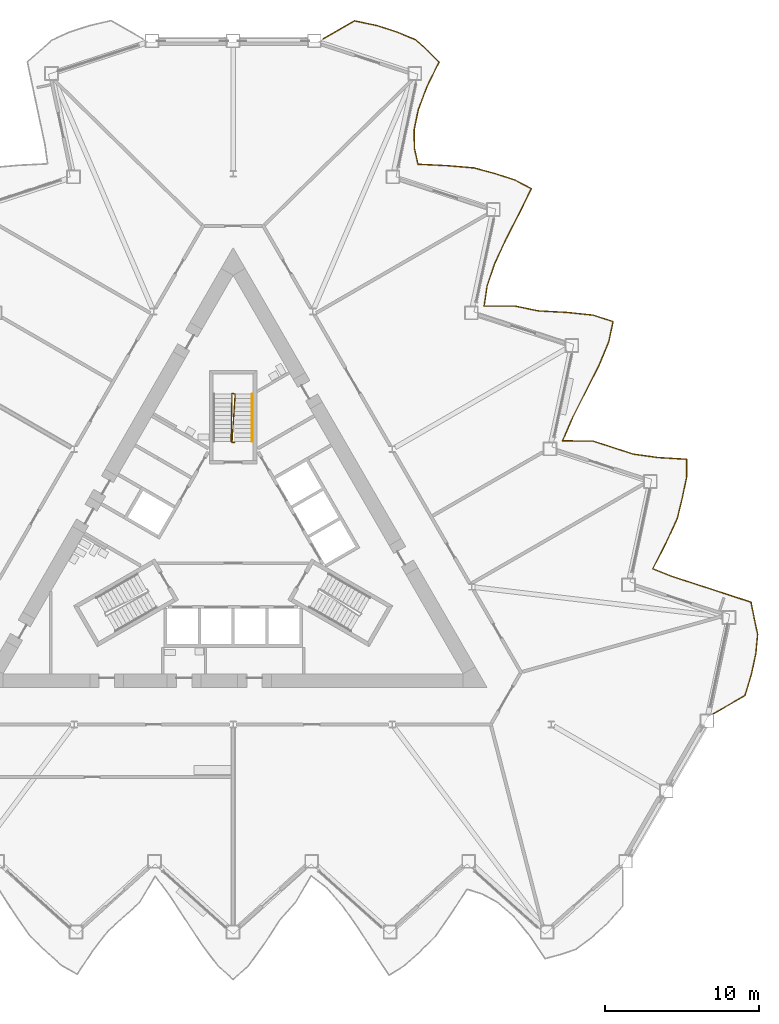
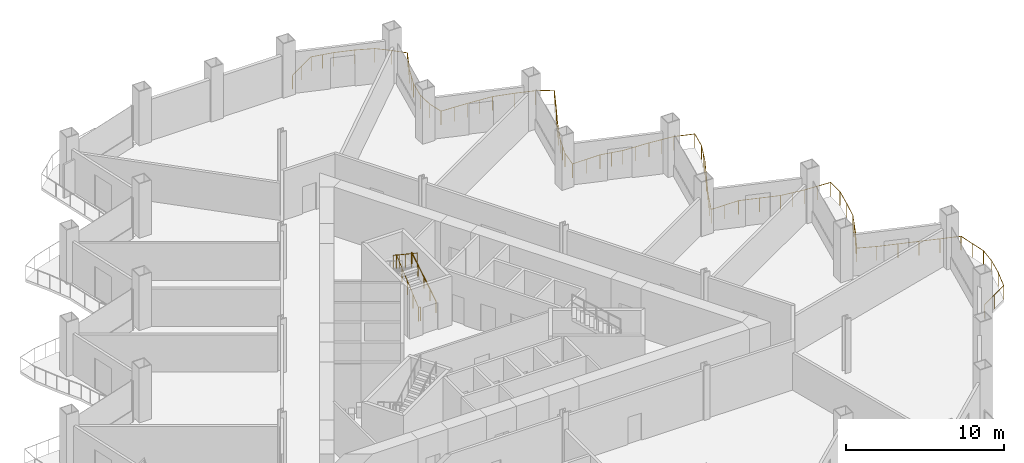
# One storey, part 19 of 21: 3 railings.
"""IFC4 building model written with IfcOpenShell, lengths in metres."""

from ifc_helpers import new_model, si_unit, direction, frame, origin, origin_2d, place, context, subcontext, project, spatial, circle, extrude, material, type_object, element, save


model = new_model("IFC4")

# Units and contexts
model_context = context("Model", 3, precision=1e-05, world=origin(), true_north=direction((0.0, 1.0)))
body_context = subcontext(model_context, "Body", "Model", "MODEL_VIEW")
ifc_project = project(units=[si_unit("LENGTHUNIT", "METRE"), si_unit("AREAUNIT", "SQUARE_METRE"), si_unit("VOLUMEUNIT", "CUBIC_METRE"), si_unit("PLANEANGLEUNIT", "RADIAN"), si_unit("MASSUNIT", "GRAM", prefix="KILO")], contexts=[model_context])

# Site, building, storey
site_placement = place(None, origin())
site = spatial("IfcSite", under=ifc_project, at=site_placement, CompositionType="ELEMENT")
building_placement = place(site_placement, origin())
building = spatial("IfcBuilding", under=site, at=building_placement, Name="Cormorant Prow Tower", CompositionType="ELEMENT")
storey_placement = place(building_placement, frame((0.0, 0.0, 141.60009765625)))
storey = spatial("IfcBuildingStorey", under=building, at=storey_placement, Name="L30", CompositionType="ELEMENT", Elevation=141.60009765625)

# Railings
ifc_material_1 = material(Name="Aluminium 6063-T6", Category="aluminium")
railing_type_1 = type_object("IfcRailingType", Name="Balcony guard 1100", PredefinedType="GUARDRAIL", material=ifc_material_1)
railing_1_placement = place(storey_placement, frame((31.16650390625, -11.24609375, 0.0)))
element("IfcRailing", 1, at=railing_1_placement, inside=storey, type_object=railing_type_1, Name="Balcony guard ENE", PredefinedType="GUARDRAIL", context=body_context, shape_type="SweptSolid", body=[
    extrude(circle(Radius=0.02392578125, at=origin_2d()), frame((0.0, 0.0, 1.076171875), z_axis=(0.866028295127, 0.499994992015, 0.0), x_axis=(-0.499994992015, 0.866028295127, 0.0)), (0.0, 0.0, 1.0), 2.40380859375),
    extrude(circle(Radius=0.02392578125, at=origin_2d()), frame((2.081787109375, 1.201904296875, 1.076171875), z_axis=(0.28877060576, 0.957398316924, 0.0), x_axis=(-0.957398316924, 0.28877060576, 0.0)), (0.0, 0.0, 1.0), 1.4794921875),
    extrude(circle(Radius=0.02392578125, at=origin_2d()), frame((2.509033203125, 2.618408203125, 1.076171875), z_axis=(0.207987307747, 0.978131524804, 0.0), x_axis=(-0.978131524804, 0.207987307747, 0.0)), (0.0, 0.0, 1.0), 1.36279296875),
    extrude(circle(Radius=0.02392578125, at=origin_2d()), frame((2.79248046875, 3.951416015625, 1.076171875), z_axis=(0.090589014578, 0.995888362437, 0.0), x_axis=(-0.995888362437, 0.090589014578, 0.0)), (0.0, 0.0, 1.0), 1.23974609375),
    extrude(circle(Radius=0.02392578125, at=origin_2d()), frame((2.90478515625, 5.18603515625, 1.076171875), z_axis=(-0.210171489105, 0.97766453611, 0.0), x_axis=(-0.97766453611, -0.210171489105, 0.0)), (0.0, 0.0, 1.0), 1.06396484375),
    extrude(circle(Radius=0.02392578125, at=origin_2d()), frame((2.68115234375, 6.226318359375, 1.076171875), z_axis=(-0.194141506486, 0.980973534536, 0.0), x_axis=(-0.980973534536, -0.194141506486, 0.0)), (0.0, 0.0, 1.0), 1.070068359375),
    extrude(circle(Radius=0.02392578125, at=origin_2d()), frame((2.473388671875, 7.276123046875, 1.076171875), z_axis=(-0.951056446131, 0.309017210318, 0.0), x_axis=(-0.309017210318, -0.951056446131, 0.0)), (0.0, 0.0, 1.0), 1.36279296875),
    extrude(circle(Radius=0.02392578125, at=origin_2d()), frame((1.17724609375, 7.697265625, 1.076171875), z_axis=(-0.951073548171, 0.308964570734, 0.0), x_axis=(-0.308964570734, -0.951073548171, 0.0)), (0.0, 0.0, 1.0), 1.363037109375),
    extrude(circle(Radius=0.02392578125, at=origin_2d()), frame((-0.119140625, 8.118408203125, 1.076171875), z_axis=(-0.951003787166, 0.309179230862, 0.0), x_axis=(-0.309179230862, -0.951003787166, 0.0)), (0.0, 0.0, 1.0), 1.363037109375),
    extrude(circle(Radius=0.02392578125, at=origin_2d()), frame((-1.415283203125, 8.539794921875, 1.076171875), z_axis=(-0.951073548171, 0.308964570734, 0.0), x_axis=(-0.308964570734, -0.951073548171, 0.0)), (0.0, 0.0, 1.0), 1.363037109375),
    extrude(circle(Radius=0.02392578125, at=origin_2d()), frame((-2.711669921875, 8.9609375, 1.076171875), z_axis=(-0.927544426557, 0.373712906873, 0.0), x_axis=(-0.373712906873, -0.927544426557, 0.0)), (0.0, 0.0, 1.0), 1.286376953125),
    extrude(circle(Radius=0.02392578125, at=origin_2d()), frame((-3.90478515625, 9.441650390625, 1.076171875), z_axis=(0.456189190816, 0.889882813736, 0.0), x_axis=(-0.889882813736, 0.456189190816, 0.0)), (0.0, 0.0, 1.0), 1.86669921875),
    extrude(circle(Radius=0.02392578125, at=origin_2d()), frame((-3.05322265625, 11.102783203125, 1.076171875), z_axis=(0.419260854224, 0.907865813937, 0.0), x_axis=(-0.907865813937, 0.419260854224, 0.0)), (0.0, 0.0, 1.0), 1.7568359375),
    extrude(circle(Radius=0.02392578125, at=origin_2d()), frame((-2.316650390625, 12.69775390625, 1.076171875), z_axis=(0.234720200923, 0.972062974955, 0.0), x_axis=(-0.972062974955, 0.234720200923, 0.0)), (0.0, 0.0, 1.0), 1.39794921875),
    extrude(circle(Radius=0.02392578125, at=origin_2d()), frame((-1.988525390625, 14.056640625, 1.076171875), z_axis=(0.20777949128, 0.978175691276, 0.0), x_axis=(-0.978175691276, 0.20777949128, 0.0)), (0.0, 0.0, 1.0), 1.363037109375),
    extrude(circle(Radius=0.02392578125, at=origin_2d()), frame((-1.705322265625, 15.389892578125, 1.076171875), z_axis=(-0.004395101961, 0.999990341493, 0.0), x_axis=(-0.999990341493, -0.004395101961, 0.0)), (0.0, 0.0, 1.0), 1.16650390625),
    extrude(circle(Radius=0.02392578125, at=origin_2d()), frame((-1.71044921875, 16.556396484375, 1.076171875), z_axis=(-0.998205480445, 0.059881706794, 0.0), x_axis=(-0.059881706794, -0.998205480445, 0.0)), (0.0, 0.0, 1.0), 1.8388671875),
    extrude(circle(Radius=0.02392578125, at=origin_2d()), frame((-3.5458984375, 16.66650390625, 1.076171875), z_axis=(-0.990785173474, 0.135442755527, 0.0), x_axis=(-0.135442755527, -0.990785173474, 0.0)), (0.0, 0.0, 1.0), 1.65283203125),
    extrude(circle(Radius=0.02392578125, at=origin_2d()), frame((-5.18359375, 16.890380859375, 1.076171875), z_axis=(-0.951020906197, 0.30912656951, 0.0), x_axis=(-0.30912656951, -0.951020906197, 0.0)), (0.0, 0.0, 1.0), 1.363037109375),
    extrude(circle(Radius=0.02392578125, at=origin_2d()), frame((-6.47998046875, 17.311767578125, 1.076171875), z_axis=(-0.951056446131, 0.309017210318, 0.0), x_axis=(-0.309017210318, -0.951056446131, 0.0)), (0.0, 0.0, 1.0), 1.36279296875),
    extrude(circle(Radius=0.02392578125, at=origin_2d()), frame((-7.776123046875, 17.73291015625, 1.076171875), z_axis=(-0.999943000724, 0.010676858255, 0.0), x_axis=(-0.010676858255, -0.999943000724, 0.0)), (0.0, 0.0, 1.0), 1.9892578125),
    extrude(circle(Radius=0.02392578125, at=origin_2d()), frame((-9.765380859375, 17.754150390625, 1.076171875), z_axis=(0.398741839927, 0.917063217609, 0.0), x_axis=(-0.917063217609, 0.398741839927, 0.0)), (0.0, 0.0, 1.0), 1.70263671875),
    extrude(circle(Radius=0.02392578125, at=origin_2d()), frame((-9.08642578125, 19.315673828125, 1.076171875), z_axis=(0.451114859985, 0.892465900245, 0.0), x_axis=(-0.892465900245, 0.451114859985, 0.0)), (0.0, 0.0, 1.0), 1.850341796875),
    extrude(circle(Radius=0.02392578125, at=origin_2d()), frame((-8.251708984375, 20.967041015625, 1.076171875), z_axis=(0.451479426467, 0.892281529271, 0.0), x_axis=(-0.892281529271, 0.451479426467, 0.0)), (0.0, 0.0, 1.0), 1.85205078125),
    extrude(circle(Radius=0.02392578125, at=origin_2d()), frame((-7.41552734375, 22.61962890625, 1.076171875), z_axis=(0.386169867914, 0.922427684491, 0.0), x_axis=(-0.922427684491, 0.386169867914, 0.0)), (0.0, 0.0, 1.0), 1.672119140625),
    extrude(circle(Radius=0.02392578125, at=origin_2d()), frame((-6.769775390625, 24.162109375, 1.076171875), z_axis=(0.207987307747, 0.978131524804, 0.0), x_axis=(-0.978131524804, 0.207987307747, 0.0)), (0.0, 0.0, 1.0), 1.36279296875),
    extrude(circle(Radius=0.02392578125, at=origin_2d()), frame((-6.486328125, 25.4951171875, 1.076171875), z_axis=(-0.951020906197, 0.30912656951, 0.0), x_axis=(-0.30912656951, -0.951020906197, 0.0)), (0.0, 0.0, 1.0), 1.363037109375),
    extrude(circle(Radius=0.02392578125, at=origin_2d()), frame((-7.78271484375, 25.91650390625, 1.076171875), z_axis=(-0.994553457781, 0.104227729592, 0.0), x_axis=(-0.104227729592, -0.994553457781, 0.0)), (0.0, 0.0, 1.0), 1.723876953125),
    extrude(circle(Radius=0.02392578125, at=origin_2d()), frame((-9.497314453125, 26.09619140625, 1.076171875), z_axis=(-0.99862688178, 0.052386553488, 0.0), x_axis=(-0.052386553488, -0.99862688178, 0.0)), (0.0, 0.0, 1.0), 1.859375),
    extrude(circle(Radius=0.02392578125, at=origin_2d()), frame((-11.354248046875, 26.193603515625, 1.076171875), z_axis=(-0.978772631432, 0.204949105777, 0.0), x_axis=(-0.204949105777, -0.978772631432, 0.0)), (0.0, 0.0, 1.0), 1.518798828125),
    extrude(circle(Radius=0.02392578125, at=origin_2d()), frame((-12.8408203125, 26.5048828125, 1.076171875), z_axis=(-0.999997357014, 0.002299122675, 0.0), x_axis=(-0.002299122675, -0.999997357014, 0.0)), (0.0, 0.0, 1.0), 2.017578125),
    extrude(circle(Radius=0.02392578125, at=origin_2d()), frame((-14.8583984375, 26.509521484375, 1.076171875), z_axis=(0.145178339034, 0.989405503257, 0.0), x_axis=(-0.989405503257, 0.145178339034, 0.0)), (0.0, 0.0, 1.0), 1.29150390625),
    extrude(circle(Radius=0.02392578125, at=origin_2d()), frame((-14.6708984375, 27.787353515625, 1.076171875), z_axis=(0.319047114396, 0.947738855801, 0.0), x_axis=(-0.947738855801, 0.319047114396, 0.0)), (0.0, 0.0, 1.0), 1.531982421875),
    extrude(circle(Radius=0.02392578125, at=origin_2d()), frame((-14.18212890625, 29.2392578125, 1.076171875), z_axis=(0.41795388599, 0.908468243356, 0.0), x_axis=(-0.908468243356, 0.41795388599, 0.0)), (0.0, 0.0, 1.0), 1.7529296875),
    extrude(circle(Radius=0.02392578125, at=origin_2d()), frame((-13.449462890625, 30.831787109375, 1.076171875), z_axis=(0.455931479564, 0.890014879619, 0.0), x_axis=(-0.890014879619, 0.455931479564, 0.0)), (0.0, 0.0, 1.0), 1.8662109375),
    extrude(circle(Radius=0.02392578125, at=origin_2d()), frame((-12.5986328125, 32.49267578125, 1.076171875), z_axis=(0.443574700944, 0.896237404197, 0.0), x_axis=(-0.896237404197, 0.443574700944, 0.0)), (0.0, 0.0, 1.0), 1.82666015625),
    extrude(circle(Radius=0.02392578125, at=origin_2d()), frame((-11.788330078125, 34.1298828125, 1.076171875), z_axis=(-0.884466584061, 0.466603538006, 0.0), x_axis=(-0.466603538006, -0.884466584061, 0.0)), (0.0, 0.0, 1.0), 1.197265625),
    extrude(circle(Radius=0.02392578125, at=origin_2d()), frame((-12.84716796875, 34.6884765625, 1.076171875), z_axis=(-0.951073548171, 0.308964570734, 0.0), x_axis=(-0.308964570734, -0.951073548171, 0.0)), (0.0, 0.0, 1.0), 1.363037109375),
    extrude(circle(Radius=0.02392578125, at=origin_2d()), frame((-14.1435546875, 35.109619140625, 1.076171875), z_axis=(-0.965508525338, 0.260371441404, 0.0), x_axis=(-0.260371441404, -0.965508525338, 0.0)), (0.0, 0.0, 1.0), 1.429931640625),
    extrude(circle(Radius=0.02392578125, at=origin_2d()), frame((-15.524169921875, 35.48193359375, 1.076171875), z_axis=(-0.996510581394, 0.08346652724, 0.0), x_axis=(-0.08346652724, -0.996510581394, 0.0)), (0.0, 0.0, 1.0), 1.775390625),
    extrude(circle(Radius=0.02392578125, at=origin_2d()), frame((-17.29345703125, 35.630126953125, 1.076171875), z_axis=(-0.998807076272, 0.048830568173, 0.0), x_axis=(-0.048830568173, -0.998807076272, 0.0)), (0.0, 0.0, 1.0), 1.869873046875),
    extrude(circle(Radius=0.02392578125, at=origin_2d()), frame((-19.1611328125, 35.721435546875, 1.076171875), z_axis=(-0.213087370496, 0.977033148125, 0.0), x_axis=(-0.977033148125, -0.213087370496, 0.0)), (0.0, 0.0, 1.0), 1.063232421875),
    extrude(circle(Radius=0.02392578125, at=origin_2d()), frame((-19.3876953125, 36.76025390625, 1.076171875), z_axis=(-0.019628896374, 0.999807334654, 0.0), x_axis=(-0.999807334654, -0.019628896374, 0.0)), (0.0, 0.0, 1.0), 1.15673828125),
    extrude(circle(Radius=0.02392578125, at=origin_2d()), frame((-19.410400390625, 37.916748046875, 1.076171875), z_axis=(0.197784685481, 0.980245488737, 0.0), x_axis=(-0.980245488737, 0.197784685481, 0.0)), (0.0, 0.0, 1.0), 1.350341796875),
    extrude(circle(Radius=0.02392578125, at=origin_2d()), frame((-19.143310546875, 39.240478515625, 1.076171875), z_axis=(0.351760535491, 0.936090020068, 0.0), x_axis=(-0.936090020068, 0.351760535491, 0.0)), (0.0, 0.0, 1.0), 1.595703125),
    extrude(circle(Radius=0.02392578125, at=origin_2d()), frame((-18.58203125, 40.734130859375, 1.076171875), z_axis=(0.43939350747, 0.898294687501, 0.0), x_axis=(-0.898294687501, 0.43939350747, 0.0)), (0.0, 0.0, 1.0), 1.814697265625),
    extrude(circle(Radius=0.02392578125, at=origin_2d()), frame((-17.78466796875, 42.3642578125, 1.076171875), z_axis=(-0.708617812109, 0.705592514389, 0.0), x_axis=(-0.705592514389, -0.708617812109, 0.0)), (0.0, 0.0, 1.0), 1.049072265625),
    extrude(circle(Radius=0.02392578125, at=origin_2d()), frame((-18.528076171875, 43.1044921875, 1.076171875), z_axis=(-0.752859275685, 0.658181518288, 0.0), x_axis=(-0.658181518288, -0.752859275685, 0.0)), (0.0, 0.0, 1.0), 1.070068359375),
    extrude(circle(Radius=0.02392578125, at=origin_2d()), frame((-19.333740234375, 43.808837890625, 1.076171875), z_axis=(-0.921356634102, 0.388718346358, 0.0), x_axis=(-0.388718346358, -0.921356634102, 0.0)), (0.0, 0.0, 1.0), 1.2705078125),
    extrude(circle(Radius=0.02392578125, at=origin_2d()), frame((-20.50439453125, 44.302734375, 1.076171875), z_axis=(-0.951056446131, 0.309017210318, 0.0), x_axis=(-0.309017210318, -0.951056446131, 0.0)), (0.0, 0.0, 1.0), 1.36279296875),
    extrude(circle(Radius=0.02392578125, at=origin_2d()), frame((-21.800537109375, 44.723876953125, 1.076171875), z_axis=(-0.978740375285, 0.205103090633, 0.0), x_axis=(-0.205103090633, -0.978740375285, 0.0)), (0.0, 0.0, 1.0), 1.518798828125),
    extrude(circle(Radius=0.02392578125, at=origin_2d()), frame((-23.287109375, 45.035400390625, 1.076171875), z_axis=(-0.865997029545, -0.500049142405, 0.0), x_axis=(0.500049142405, -0.865997029545, 0.0)), (0.0, 0.0, 1.0), 2.350341796875),
    extrude(circle(Radius=0.02099609375, at=origin_2d()), origin(), (0.0, 0.0, 1.0), 1.052001953125),
    extrude(circle(Radius=0.02099609375, at=origin_2d()), frame((1.041015625, 0.60107421875, 0.0)), (0.0, 0.0, 1.0), 1.052001953125),
    extrude(circle(Radius=0.02099609375, at=origin_2d()), frame((2.081787109375, 1.201904296875, 0.0)), (0.0, 0.0, 1.0), 1.052001953125),
    extrude(circle(Radius=0.02099609375, at=origin_2d()), frame((2.509033203125, 2.618408203125, 0.0)), (0.0, 0.0, 1.0), 1.052001953125),
    extrude(circle(Radius=0.02099609375, at=origin_2d()), frame((2.79248046875, 3.951416015625, 0.0)), (0.0, 0.0, 1.0), 1.052001953125),
    extrude(circle(Radius=0.02099609375, at=origin_2d()), frame((2.90478515625, 5.18603515625, 0.0)), (0.0, 0.0, 1.0), 1.052001953125),
    extrude(circle(Radius=0.02099609375, at=origin_2d()), frame((2.68115234375, 6.226318359375, 0.0)), (0.0, 0.0, 1.0), 1.052001953125),
    extrude(circle(Radius=0.02099609375, at=origin_2d()), frame((2.473388671875, 7.276123046875, 0.0)), (0.0, 0.0, 1.0), 1.052001953125),
    extrude(circle(Radius=0.02099609375, at=origin_2d()), frame((1.17724609375, 7.697265625, 0.0)), (0.0, 0.0, 1.0), 1.052001953125),
    extrude(circle(Radius=0.02099609375, at=origin_2d()), frame((-0.119140625, 8.118408203125, 0.0)), (0.0, 0.0, 1.0), 1.052001953125),
    extrude(circle(Radius=0.02099609375, at=origin_2d()), frame((-1.415283203125, 8.539794921875, 0.0)), (0.0, 0.0, 1.0), 1.052001953125),
    extrude(circle(Radius=0.02099609375, at=origin_2d()), frame((-2.711669921875, 8.9609375, 0.0)), (0.0, 0.0, 1.0), 1.052001953125),
    extrude(circle(Radius=0.02099609375, at=origin_2d()), frame((-3.90478515625, 9.441650390625, 0.0)), (0.0, 0.0, 1.0), 1.052001953125),
    extrude(circle(Radius=0.02099609375, at=origin_2d()), frame((-3.47900390625, 10.272216796875, 0.0)), (0.0, 0.0, 1.0), 1.052001953125),
    extrude(circle(Radius=0.02099609375, at=origin_2d()), frame((-3.05322265625, 11.102783203125, 0.0)), (0.0, 0.0, 1.0), 1.052001953125),
    extrude(circle(Radius=0.02099609375, at=origin_2d()), frame((-2.68505859375, 11.900390625, 0.0)), (0.0, 0.0, 1.0), 1.052001953125),
    extrude(circle(Radius=0.02099609375, at=origin_2d()), frame((-2.316650390625, 12.69775390625, 0.0)), (0.0, 0.0, 1.0), 1.052001953125),
    extrude(circle(Radius=0.02099609375, at=origin_2d()), frame((-1.988525390625, 14.056640625, 0.0)), (0.0, 0.0, 1.0), 1.052001953125),
    extrude(circle(Radius=0.02099609375, at=origin_2d()), frame((-1.705322265625, 15.389892578125, 0.0)), (0.0, 0.0, 1.0), 1.052001953125),
    extrude(circle(Radius=0.02099609375, at=origin_2d()), frame((-1.71044921875, 16.556396484375, 0.0)), (0.0, 0.0, 1.0), 1.052001953125),
    extrude(circle(Radius=0.02099609375, at=origin_2d()), frame((-2.628173828125, 16.611328125, 0.0)), (0.0, 0.0, 1.0), 1.052001953125),
    extrude(circle(Radius=0.02099609375, at=origin_2d()), frame((-3.5458984375, 16.66650390625, 0.0)), (0.0, 0.0, 1.0), 1.052001953125),
    extrude(circle(Radius=0.02099609375, at=origin_2d()), frame((-4.36474609375, 16.7783203125, 0.0)), (0.0, 0.0, 1.0), 1.052001953125),
    extrude(circle(Radius=0.02099609375, at=origin_2d()), frame((-5.18359375, 16.890380859375, 0.0)), (0.0, 0.0, 1.0), 1.052001953125),
    extrude(circle(Radius=0.02099609375, at=origin_2d()), frame((-6.47998046875, 17.311767578125, 0.0)), (0.0, 0.0, 1.0), 1.052001953125),
    extrude(circle(Radius=0.02099609375, at=origin_2d()), frame((-7.776123046875, 17.73291015625, 0.0)), (0.0, 0.0, 1.0), 1.052001953125),
    extrude(circle(Radius=0.02099609375, at=origin_2d()), frame((-8.770751953125, 17.74365234375, 0.0)), (0.0, 0.0, 1.0), 1.052001953125),
    extrude(circle(Radius=0.02099609375, at=origin_2d()), frame((-9.765380859375, 17.754150390625, 0.0)), (0.0, 0.0, 1.0), 1.052001953125),
    extrude(circle(Radius=0.02099609375, at=origin_2d()), frame((-9.42578125, 18.534912109375, 0.0)), (0.0, 0.0, 1.0), 1.052001953125),
    extrude(circle(Radius=0.02099609375, at=origin_2d()), frame((-9.08642578125, 19.315673828125, 0.0)), (0.0, 0.0, 1.0), 1.052001953125),
    extrude(circle(Radius=0.02099609375, at=origin_2d()), frame((-8.6689453125, 20.141357421875, 0.0)), (0.0, 0.0, 1.0), 1.052001953125),
    extrude(circle(Radius=0.02099609375, at=origin_2d()), frame((-8.251708984375, 20.967041015625, 0.0)), (0.0, 0.0, 1.0), 1.052001953125),
    extrude(circle(Radius=0.02099609375, at=origin_2d()), frame((-7.83349609375, 21.79345703125, 0.0)), (0.0, 0.0, 1.0), 1.052001953125),
    extrude(circle(Radius=0.02099609375, at=origin_2d()), frame((-7.41552734375, 22.61962890625, 0.0)), (0.0, 0.0, 1.0), 1.052001953125),
    extrude(circle(Radius=0.02099609375, at=origin_2d()), frame((-7.0927734375, 23.390869140625, 0.0)), (0.0, 0.0, 1.0), 1.052001953125),
    extrude(circle(Radius=0.02099609375, at=origin_2d()), frame((-6.769775390625, 24.162109375, 0.0)), (0.0, 0.0, 1.0), 1.052001953125),
    extrude(circle(Radius=0.02099609375, at=origin_2d()), frame((-6.486328125, 25.4951171875, 0.0)), (0.0, 0.0, 1.0), 1.052001953125),
    extrude(circle(Radius=0.02099609375, at=origin_2d()), frame((-7.78271484375, 25.91650390625, 0.0)), (0.0, 0.0, 1.0), 1.052001953125),
    extrude(circle(Radius=0.02099609375, at=origin_2d()), frame((-8.64013671875, 26.00634765625, 0.0)), (0.0, 0.0, 1.0), 1.052001953125),
    extrude(circle(Radius=0.02099609375, at=origin_2d()), frame((-9.497314453125, 26.09619140625, 0.0)), (0.0, 0.0, 1.0), 1.052001953125),
    extrude(circle(Radius=0.02099609375, at=origin_2d()), frame((-10.42578125, 26.14501953125, 0.0)), (0.0, 0.0, 1.0), 1.052001953125),
    extrude(circle(Radius=0.02099609375, at=origin_2d()), frame((-11.354248046875, 26.193603515625, 0.0)), (0.0, 0.0, 1.0), 1.052001953125),
    extrude(circle(Radius=0.02099609375, at=origin_2d()), frame((-12.09765625, 26.34912109375, 0.0)), (0.0, 0.0, 1.0), 1.052001953125),
    extrude(circle(Radius=0.02099609375, at=origin_2d()), frame((-12.8408203125, 26.5048828125, 0.0)), (0.0, 0.0, 1.0), 1.052001953125),
    extrude(circle(Radius=0.02099609375, at=origin_2d()), frame((-13.849609375, 26.50732421875, 0.0)), (0.0, 0.0, 1.0), 1.052001953125),
    extrude(circle(Radius=0.02099609375, at=origin_2d()), frame((-14.8583984375, 26.509521484375, 0.0)), (0.0, 0.0, 1.0), 1.052001953125),
    extrude(circle(Radius=0.02099609375, at=origin_2d()), frame((-14.6708984375, 27.787353515625, 0.0)), (0.0, 0.0, 1.0), 1.052001953125),
    extrude(circle(Radius=0.02099609375, at=origin_2d()), frame((-14.426513671875, 28.51318359375, 0.0)), (0.0, 0.0, 1.0), 1.052001953125),
    extrude(circle(Radius=0.02099609375, at=origin_2d()), frame((-14.18212890625, 29.2392578125, 0.0)), (0.0, 0.0, 1.0), 1.052001953125),
    extrude(circle(Radius=0.02099609375, at=origin_2d()), frame((-13.81591796875, 30.03564453125, 0.0)), (0.0, 0.0, 1.0), 1.052001953125),
    extrude(circle(Radius=0.02099609375, at=origin_2d()), frame((-13.449462890625, 30.831787109375, 0.0)), (0.0, 0.0, 1.0), 1.052001953125),
    extrude(circle(Radius=0.02099609375, at=origin_2d()), frame((-13.02392578125, 31.662109375, 0.0)), (0.0, 0.0, 1.0), 1.052001953125),
    extrude(circle(Radius=0.02099609375, at=origin_2d()), frame((-12.5986328125, 32.49267578125, 0.0)), (0.0, 0.0, 1.0), 1.052001953125),
    extrude(circle(Radius=0.02099609375, at=origin_2d()), frame((-12.193359375, 33.311279296875, 0.0)), (0.0, 0.0, 1.0), 1.052001953125),
    extrude(circle(Radius=0.02099609375, at=origin_2d()), frame((-11.788330078125, 34.1298828125, 0.0)), (0.0, 0.0, 1.0), 1.052001953125),
    extrude(circle(Radius=0.02099609375, at=origin_2d()), frame((-12.84716796875, 34.6884765625, 0.0)), (0.0, 0.0, 1.0), 1.052001953125),
    extrude(circle(Radius=0.02099609375, at=origin_2d()), frame((-14.1435546875, 35.109619140625, 0.0)), (0.0, 0.0, 1.0), 1.052001953125),
    extrude(circle(Radius=0.02099609375, at=origin_2d()), frame((-15.524169921875, 35.48193359375, 0.0)), (0.0, 0.0, 1.0), 1.052001953125),
    extrude(circle(Radius=0.02099609375, at=origin_2d()), frame((-16.40869140625, 35.55615234375, 0.0)), (0.0, 0.0, 1.0), 1.052001953125),
    extrude(circle(Radius=0.02099609375, at=origin_2d()), frame((-17.29345703125, 35.630126953125, 0.0)), (0.0, 0.0, 1.0), 1.052001953125),
    extrude(circle(Radius=0.02099609375, at=origin_2d()), frame((-18.227294921875, 35.67578125, 0.0)), (0.0, 0.0, 1.0), 1.052001953125),
    extrude(circle(Radius=0.02099609375, at=origin_2d()), frame((-19.1611328125, 35.721435546875, 0.0)), (0.0, 0.0, 1.0), 1.052001953125),
    extrude(circle(Radius=0.02099609375, at=origin_2d()), frame((-19.3876953125, 36.76025390625, 0.0)), (0.0, 0.0, 1.0), 1.052001953125),
    extrude(circle(Radius=0.02099609375, at=origin_2d()), frame((-19.410400390625, 37.916748046875, 0.0)), (0.0, 0.0, 1.0), 1.052001953125),
    extrude(circle(Radius=0.02099609375, at=origin_2d()), frame((-19.143310546875, 39.240478515625, 0.0)), (0.0, 0.0, 1.0), 1.052001953125),
    extrude(circle(Radius=0.02099609375, at=origin_2d()), frame((-18.86279296875, 39.9873046875, 0.0)), (0.0, 0.0, 1.0), 1.052001953125),
    extrude(circle(Radius=0.02099609375, at=origin_2d()), frame((-18.58203125, 40.734130859375, 0.0)), (0.0, 0.0, 1.0), 1.052001953125),
    extrude(circle(Radius=0.02099609375, at=origin_2d()), frame((-18.183349609375, 41.54931640625, 0.0)), (0.0, 0.0, 1.0), 1.052001953125),
    extrude(circle(Radius=0.02099609375, at=origin_2d()), frame((-17.78466796875, 42.3642578125, 0.0)), (0.0, 0.0, 1.0), 1.052001953125),
    extrude(circle(Radius=0.02099609375, at=origin_2d()), frame((-18.528076171875, 43.1044921875, 0.0)), (0.0, 0.0, 1.0), 1.052001953125),
    extrude(circle(Radius=0.02099609375, at=origin_2d()), frame((-19.333740234375, 43.808837890625, 0.0)), (0.0, 0.0, 1.0), 1.052001953125),
    extrude(circle(Radius=0.02099609375, at=origin_2d()), frame((-20.50439453125, 44.302734375, 0.0)), (0.0, 0.0, 1.0), 1.052001953125),
    extrude(circle(Radius=0.02099609375, at=origin_2d()), frame((-21.800537109375, 44.723876953125, 0.0)), (0.0, 0.0, 1.0), 1.052001953125),
    extrude(circle(Radius=0.02099609375, at=origin_2d()), frame((-22.5439453125, 44.879638671875, 0.0)), (0.0, 0.0, 1.0), 1.052001953125),
    extrude(circle(Radius=0.02099609375, at=origin_2d()), frame((-23.287109375, 45.035400390625, 0.0)), (0.0, 0.0, 1.0), 1.052001953125),
    extrude(circle(Radius=0.02099609375, at=origin_2d()), frame((-24.3046875, 44.44775390625, 0.0)), (0.0, 0.0, 1.0), 1.052001953125),
    extrude(circle(Radius=0.02099609375, at=origin_2d()), frame((-25.322509765625, 43.860107421875, 0.0)), (0.0, 0.0, 1.0), 1.052001953125),
])
ifc_material_2 = material(Name="Stainless steel", Category="steel")
railing_type_2 = type_object("IfcRailingType", Name="Stair guard 1100", PredefinedType="GUARDRAIL", material=ifc_material_2)
railing_2_placement = place(storey_placement, frame((0.074951171875, 6.40576171875, 0.0)))
element("IfcRailing", 2, at=railing_2_placement, inside=storey, type_object=railing_type_2, Name="L30 ST3 stair guard 1", PredefinedType="GUARDRAIL", context=body_context, shape_type="SweptSolid", body=[
    extrude(circle(Radius=0.02392578125, at=origin_2d()), frame((0.0, 0.0, 1.076171875), z_axis=(-1.0, 0.0, 0.0), x_axis=(0.0, -1.0, 0.0)), (0.0, 0.0, 1.0), 0.14990234375),
    extrude(circle(Radius=0.02392578125, at=origin_2d()), frame((-0.14990234375, 0.0, 1.076171875), z_axis=(0.052973824345, 0.829276437025, 0.556322177276), x_axis=(-0.997965923181, 0.063749636618, 0.0)), (0.0, 0.0, 1.0), 3.7744140625),
    extrude(circle(Radius=0.02392578125, at=origin_2d()), frame((0.050048828125, 3.130126953125, 3.17578125), z_axis=(-0.970072785993, 0.242814311512, 0.0), x_axis=(-0.242814311512, -0.970072785993, 0.0)), (0.0, 0.0, 1.0), 0.2060546875),
    extrude(circle(Radius=0.02392578125, at=origin_2d()), frame((-0.14990234375, 3.18017578125, 3.17578125), z_axis=(-0.013276620939, -0.830339302729, 0.557099967403), x_axis=(0.999872194171, -0.015987348866, 0.0)), (0.0, 0.0, 1.0), 3.769775390625),
    extrude(circle(Radius=0.02099609375, at=origin_2d()), origin(), (0.0, 0.0, 1.0), 1.052001953125),
    extrude(circle(Radius=0.02099609375, at=origin_2d()), frame((-0.14990234375, 0.0, 0.0)), (0.0, 0.0, 1.0), 1.052001953125),
    extrude(circle(Radius=0.02099609375, at=origin_2d()), frame((-0.099853515625, 0.782470703125, 0.52490234375)), (0.0, 0.0, 1.0), 1.052001953125),
    extrude(circle(Radius=0.02099609375, at=origin_2d()), frame((-0.0498046875, 1.56494140625, 1.0498046875)), (0.0, 0.0, 1.0), 1.052001953125),
    extrude(circle(Radius=0.02099609375, at=origin_2d()), frame((0.0, 2.34765625, 1.574951171875)), (0.0, 0.0, 1.0), 1.052001953125),
    extrude(circle(Radius=0.02099609375, at=origin_2d()), frame((0.050048828125, 3.130126953125, 2.099853515625)), (0.0, 0.0, 1.0), 1.052001953125),
    extrude(circle(Radius=0.02099609375, at=origin_2d()), frame((-0.14990234375, 3.18017578125, 2.099853515625)), (0.0, 0.0, 1.0), 1.052001953125),
    extrude(circle(Radius=0.02099609375, at=origin_2d()), frame((-0.162353515625, 2.397705078125, 2.625)), (0.0, 0.0, 1.0), 1.052001953125),
    extrude(circle(Radius=0.02099609375, at=origin_2d()), frame((-0.1748046875, 1.615234375, 3.14990234375)), (0.0, 0.0, 1.0), 1.052001953125),
    extrude(circle(Radius=0.02099609375, at=origin_2d()), frame((-0.1875, 0.83251953125, 3.6748046875)), (0.0, 0.0, 1.0), 1.052001953125),
    extrude(circle(Radius=0.02099609375, at=origin_2d()), frame((-0.199951171875, 0.050048828125, 4.199951171875)), (0.0, 0.0, 1.0), 1.052001953125),
])
ifc_material_3 = material(Name="Stainless steel", Category="steel")
railing_type_3 = type_object("IfcRailingType", Name="Stair handrail 900", PredefinedType="HANDRAIL", material=ifc_material_3)
railing_3_placement = place(storey_placement, frame((1.243896484375, 6.455810546875, 0.1748046875)))
element("IfcRailing", 3, at=railing_3_placement, inside=storey, type_object=railing_type_3, Name="L30 ST3 stair handrail 1", PredefinedType="HANDRAIL", context=body_context, shape_type="SweptSolid", body=[
    extrude(circle(Radius=0.02392578125, at=origin_2d()), frame((0.0, 0.0, 0.8759765625), z_axis=(0.0, 0.847998304005, 0.529998940003), x_axis=(-1.0, 0.0, 0.0)), (0.0, 0.0, 1.0), 3.632080078125),
    extrude(circle(Radius=0.02099609375, at=origin_2d()), origin(), (0.0, 0.0, 1.0), 0.851806640625),
    extrude(circle(Radius=0.02099609375, at=origin_2d()), frame((0.0, 0.77001953125, 0.481201171875)), (0.0, 0.0, 1.0), 0.851806640625),
    extrude(circle(Radius=0.02099609375, at=origin_2d()), frame((0.0, 1.5400390625, 0.96240234375)), (0.0, 0.0, 1.0), 0.851806640625),
    extrude(circle(Radius=0.02099609375, at=origin_2d()), frame((0.0, 2.31005859375, 1.44384765625)), (0.0, 0.0, 1.0), 0.851806640625),
    extrude(circle(Radius=0.02099609375, at=origin_2d()), frame((0.0, 3.080078125, 1.925048828125)), (0.0, 0.0, 1.0), 0.851806640625),
])

save(model, "model.ifc")
